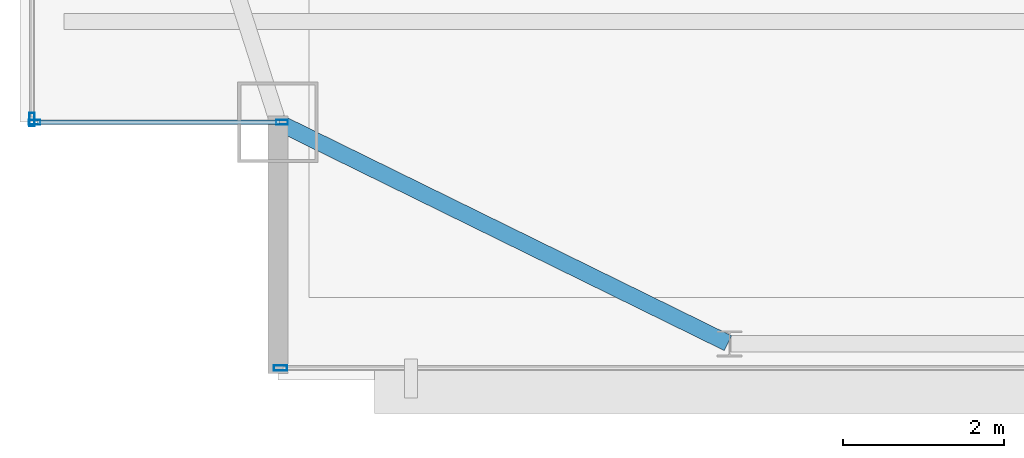
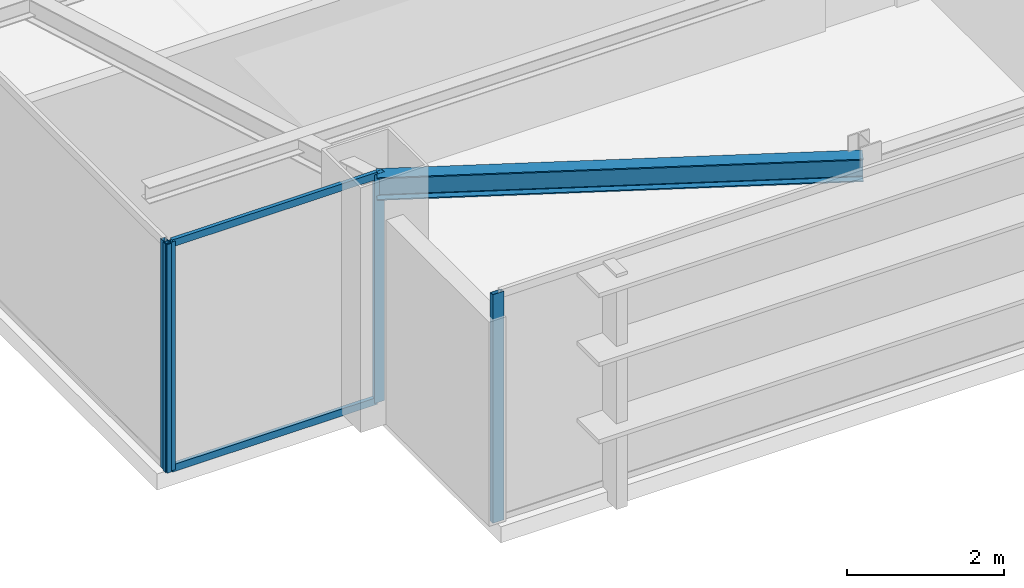
# One storey, part 4 of 24: 6 members, 1 beam, 3 elements without a shape of their own.
"""IFC4 building model written with IfcOpenShell, lengths in metres."""

from ifc_helpers import new_model, si_unit, direction, frame, origin, origin_2d, place, context, subcontext, project, spatial, hollow_rectangle, i_section, extrude, source, transform, mapped, material, layer, layer_set, material_profile, profile_set, type_object, type_shapes, element, aggregate, save


model = new_model("IFC4")

# Units and contexts
model_context = context("Model", 3, precision=1e-05, world=origin(), true_north=direction((0.0, 1.0)))
body_context = subcontext(model_context, "Body", "Model", "MODEL_VIEW")
ifc_project = project(units=[si_unit("LENGTHUNIT", "METRE"), si_unit("AREAUNIT", "SQUARE_METRE"), si_unit("VOLUMEUNIT", "CUBIC_METRE"), si_unit("PLANEANGLEUNIT", "RADIAN"), si_unit("MASSUNIT", "GRAM", prefix="KILO")], contexts=[model_context])

# Site, building, storey
site_placement = place(None, origin())
site = spatial("IfcSite", under=ifc_project, at=site_placement, CompositionType="ELEMENT")
building_placement = place(site_placement, origin())
building = spatial("IfcBuilding", under=site, at=building_placement, Name="Varnel Quay Broadcast Tower", CompositionType="ELEMENT")
storey_placement = place(building_placement, frame((0.0, 0.0, 292.60009765625)))
storey = spatial("IfcBuildingStorey", under=building, at=storey_placement, Name="L73", CompositionType="ELEMENT", Elevation=292.60009765625)

# Beam
ifc_material_1 = material(Name="Structural Steel CSA G40.21 350W", Category="steel")
ifc_material_profile_1 = material_profile(ifc_material_1, i_section(OverallWidth=0.205078125, OverallDepth=0.35400390625, WebThickness=0.009521484375, FlangeThickness=0.016845703125, FilletRadius=0.012939453125, at=origin_2d()), Name="W360X79")
ifc_profile_set_1 = profile_set([ifc_material_profile_1], Name="Structural Steel CSA G40.21 350W")
beam_type = type_object("IfcBeamType", Name="Beam_W360X79", PredefinedType="SPANDREL", material=ifc_profile_set_1)
shared_shape_1 = source(origin(), body_context, "Body", "SweptSolid", [
    extrude(i_section(OverallWidth=0.205078125, OverallDepth=0.35400390625, WebThickness=0.009521484375, FlangeThickness=0.016845703125, FilletRadius=0.012939453125, at=origin_2d()), origin(), (0.0, 0.0, 1.0), 6.19873046875),
])
type_shapes(beam_type, [shared_shape_1])
beam_placement = place(storey_placement, frame((15.218017578125, 16.39111328125, 3.372802734375), z_axis=(0.897602447358, -0.440805905697, 0.0), x_axis=(0.440805905697, 0.897602447358, 0.0)))
element("IfcBeam", 1, at=beam_placement, inside=storey, type_object=beam_type, Name="L73 South Spandrel MC-SW-TC-S1", PredefinedType="SPANDREL", context=body_context, shape_type="MappedRepresentation", body=[
    mapped(shared_shape_1, transform((0.0, 0.0, 0.0), x_axis=(1.0, 0.0, 0.0), y_axis=(0.0, 1.0, 0.0), z_axis=(0.0, 0.0, 1.0), scale=1.0)),
])

# Curtain wall, members
ifc_material_2 = material(Name="Anodised Bronze Aluminium 6063-T6", Category="aluminium")
ifc_layer_1 = layer(ifc_material_2, 0.18994140625, Name="Anodised Bronze Aluminium 6063-T6")
ifc_layer_set_1 = layer_set([ifc_layer_1], Name="Anodised Bronze Aluminium 6063-T6")
curtain_wall_type_1 = type_object("IfcCurtainWallType", Name="CW_NotchCorner", PredefinedType="NOTDEFINED", material=ifc_layer_set_1)
curtain_wall_1_placement = place(storey_placement, origin())
curtain_wall_1 = element("IfcCurtainWall", 2, at=curtain_wall_1_placement, inside=storey, type_object=curtain_wall_type_1, Name="L73 SW Notch Curtain Wall", PredefinedType="NOTDEFINED")
ifc_material_profile_2 = material_profile(ifc_material_2, hollow_rectangle(XDim=0.06005859375, YDim=0.14501953125, WallThickness=0.00341796875, at=origin_2d()), Name="ALU60X145X3.5")
ifc_profile_set_2 = profile_set([ifc_material_profile_2], Name="Anodised Bronze Aluminium 6063-T6")
member_type_1 = type_object("IfcMemberType", Name="Mull_CWS-04", PredefinedType="MULLION", material=ifc_profile_set_2)
shared_shape_2 = source(origin(), body_context, "Body", "SweptSolid", [
    extrude(hollow_rectangle(XDim=0.06005859375, YDim=0.14501953125, WallThickness=0.00341796875, at=origin_2d()), origin(), (0.0, 0.0, 1.0), 3.5498046875),
])
type_shapes(member_type_1, [shared_shape_2])
member_1_placement = place(storey_placement, frame((12.179931640625, 16.39990234375, 0.0), z_axis=(0.0, 0.0, 1.0), x_axis=(0.0, 1.0, 0.0)))
member_1 = element("IfcMember", 3, at=member_1_placement, type_object=member_type_1, Name="CWS-04 mullion 1", PredefinedType="MULLION", context=body_context, shape_type="MappedRepresentation", body=[
    mapped(shared_shape_2, transform((0.0, 0.0, 0.0), x_axis=(1.0, 0.0, 0.0), y_axis=(0.0, 1.0, 0.0), z_axis=(0.0, 0.0, 1.0), scale=1.0)),
])
member_2_placement = place(storey_placement, frame((15.25, 16.39990234375, 0.0), z_axis=(0.0, 0.0, 1.0), x_axis=(0.0, 1.0, 0.0)))
member_2 = element("IfcMember", 4, at=member_2_placement, type_object=member_type_1, Name="CWS-04 mullion 2", PredefinedType="MULLION", context=body_context, shape_type="MappedRepresentation", body=[
    mapped(shared_shape_2, transform((0.0, 0.0, 0.0), x_axis=(1.0, 0.0, 0.0), y_axis=(0.0, 1.0, 0.0), z_axis=(0.0, 0.0, 1.0), scale=1.0)),
])

# Curtain wall, member
ifc_layer_2 = layer(ifc_material_2, 0.18994140625, Name="Anodised Bronze Aluminium 6063-T6")
ifc_layer_set_2 = layer_set([ifc_layer_2], Name="Anodised Bronze Aluminium 6063-T6")
curtain_wall_type_2 = type_object("IfcCurtainWallType", Name="CW_UpperTower", PredefinedType="NOTDEFINED", material=ifc_layer_set_2)
curtain_wall_2_placement = place(storey_placement, origin())
curtain_wall_2 = element("IfcCurtainWall", 5, at=curtain_wall_2_placement, inside=storey, type_object=curtain_wall_type_2, Name="L73 South Unitised Curtain Wall 1", PredefinedType="NOTDEFINED")
ifc_material_profile_3 = material_profile(ifc_material_2, hollow_rectangle(XDim=0.06494140625, YDim=0.1650390625, WallThickness=0.00341796875, at=origin_2d()), Name="ALU65X165X3.5")
ifc_profile_set_3 = profile_set([ifc_material_profile_3], Name="Anodised Bronze Aluminium 6063-T6")
member_type_2 = type_object("IfcMemberType", Name="Mull_CWS-03", PredefinedType="MULLION", material=ifc_profile_set_3)
shared_shape_3 = source(origin(), body_context, "Body", "SweptSolid", [
    extrude(hollow_rectangle(XDim=0.06494140625, YDim=0.1650390625, WallThickness=0.00341796875, at=origin_2d()), origin(), (0.0, 0.0, 1.0), 3.5498046875),
])
type_shapes(member_type_2, [shared_shape_3])
member_3_placement = place(storey_placement, frame((15.232421875, 13.35009765625, 0.0), z_axis=(0.0, 0.0, 1.0), x_axis=(0.0, 1.0, 0.0)))
member_3 = element("IfcMember", 6, at=member_3_placement, type_object=member_type_2, Name="CWS-03 mullion 1", PredefinedType="MULLION", context=body_context, shape_type="MappedRepresentation", body=[
    mapped(shared_shape_3, transform((0.0, 0.0, 0.0), x_axis=(1.0, 0.0, 0.0), y_axis=(0.0, 1.0, 0.0), z_axis=(0.0, 0.0, 1.0), scale=1.0)),
])
aggregate(curtain_wall_2, [member_3])

curtain_wall_3_placement = place(storey_placement, origin())
curtain_wall_3 = element("IfcCurtainWall", 7, at=curtain_wall_3_placement, inside=storey, type_object=curtain_wall_type_2, Name="L73 West Unitised Curtain Wall", PredefinedType="NOTDEFINED")
member_4_placement = place(storey_placement, frame((12.14990234375, 16.4326171875, 0.0), z_axis=(0.0, 0.0, 1.0), x_axis=(-1.0, 0.0, 0.0)))
member_4 = element("IfcMember", 8, at=member_4_placement, type_object=member_type_2, Name="CWS-03 mullion 1", PredefinedType="MULLION", context=body_context, shape_type="MappedRepresentation", body=[
    mapped(shared_shape_3, transform((0.0, 0.0, 0.0), x_axis=(1.0, 0.0, 0.0), y_axis=(0.0, 1.0, 0.0), z_axis=(0.0, 0.0, 1.0), scale=1.0)),
])
aggregate(curtain_wall_3, [member_4])

# Member
ifc_material_profile_4 = material_profile(ifc_material_2, hollow_rectangle(XDim=0.054931640625, YDim=0.110107421875, WallThickness=0.0029296875, at=origin_2d()), Name="ALU55X110X3")
ifc_profile_set_4 = profile_set([ifc_material_profile_4], Name="Anodised Bronze Aluminium 6063-T6")
member_type_3 = type_object("IfcMemberType", Name="Tran_CWS-04", PredefinedType="USERDEFINED", material=ifc_profile_set_4)
shared_shape_4 = source(origin(), body_context, "Body", "SweptSolid", [
    extrude(hollow_rectangle(XDim=0.054931640625, YDim=0.110107421875, WallThickness=0.0029296875, at=origin_2d()), origin(), (0.0, 0.0, 1.0), 3.010009765625),
])
type_shapes(member_type_3, [shared_shape_4])
member_5_placement = place(storey_placement, frame((12.2099609375, 16.39990234375, 0.02734375), z_axis=(1.0, 0.0, 0.0), x_axis=(0.0, 1.0, 0.0)))
member_5 = element("IfcMember", 9, at=member_5_placement, type_object=member_type_3, Name="CWS-04 transom 1.1", ObjectType="TRANSOM", PredefinedType="USERDEFINED", context=body_context, shape_type="MappedRepresentation", body=[
    mapped(shared_shape_4, transform((0.0, 0.0, 0.0), x_axis=(1.0, 0.0, 0.0), y_axis=(0.0, 1.0, 0.0), z_axis=(0.0, 0.0, 1.0), scale=1.0)),
])

member_6_placement = place(storey_placement, frame((12.2099609375, 16.39990234375, 3.5224609375), z_axis=(1.0, 0.0, 0.0), x_axis=(0.0, 1.0, 0.0)))
member_6 = element("IfcMember", 10, at=member_6_placement, type_object=member_type_3, Name="CWS-04 transom 1.2", ObjectType="TRANSOM", PredefinedType="USERDEFINED", context=body_context, shape_type="MappedRepresentation", body=[
    mapped(shared_shape_4, transform((0.0, 0.0, 0.0), x_axis=(1.0, 0.0, 0.0), y_axis=(0.0, 1.0, 0.0), z_axis=(0.0, 0.0, 1.0), scale=1.0)),
])

aggregate(curtain_wall_1, [member_1, member_2, member_5, member_6])

save(model, "model.ifc")
